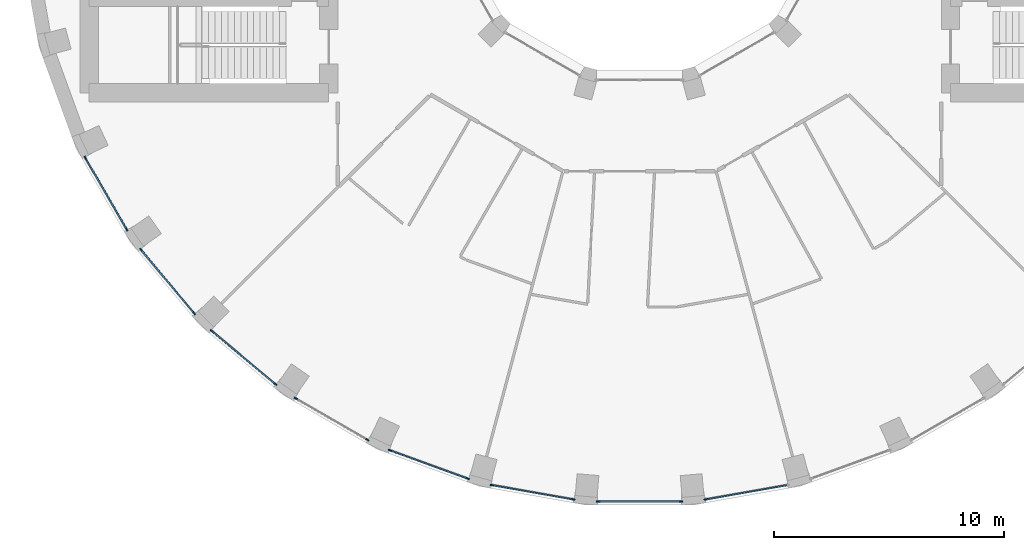
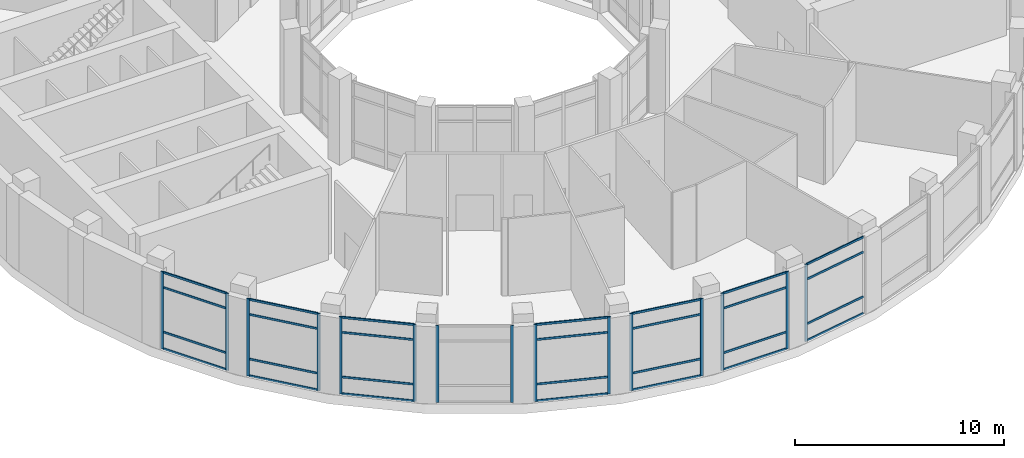
# One storey, part 2 of 18: 43 members, 8 elements without a shape of their own.
"""IFC4 building model written with IfcOpenShell, lengths in metres."""

import ifcopenshell
import ifcopenshell.guid

model = None  # the IFC model being written
_history = None  # IfcOwnerHistory: only IFC2X3 demands one
_inside = {}  # id of a spatial element -> (the spatial element, [elements in it])
_under = {}  # id of a project, library or spatial element -> (it, [spatial elements below it])
_declared = {}  # id of a project -> (the project, [libraries it declares])
_typed = {}  # id of a type object -> (the type object, [elements of that type])
_made_of = {}  # id of a material, layer set ... -> (it, [elements and type objects made of it])


def new_model(schema):
    """Start an empty IFC model of exactly this schema.

    Asked for "IFC4X3", IfcOpenShell would pick the latest addendum, in which some entities
    have other attributes; the version numbers below select the first issue.
    IFC2X3 requires an IfcOwnerHistory on every rooted entity: one is made here for all.
    """
    global model, _history
    if schema == "IFC4X3":
        model = ifcopenshell.file(schema_version=(4, 3, 0, 0))
    else:
        model = ifcopenshell.file(schema=schema)
    _inside.clear()
    _under.clear()
    _declared.clear()
    _typed.clear()
    _made_of.clear()
    _history = None
    if model.schema == "IFC2X3":
        org = make("IfcOrganization", Name="unknown")
        user = make(
            "IfcPersonAndOrganization",
            ThePerson=make("IfcPerson", FamilyName="unknown"),
            TheOrganization=org,
        )
        app = make(
            "IfcApplication",
            ApplicationDeveloper=org,
            Version="unknown",
            ApplicationFullName="unknown",
            ApplicationIdentifier="unknown",
        )
        _history = make(
            "IfcOwnerHistory",
            OwningUser=user,
            OwningApplication=app,
            ChangeAction="ADDED",
            CreationDate=0,
        )
    return model


def make(cls, **values):
    """One entity of the class cls with the attributes given. An attribute that is None is left unset."""
    return model.create_entity(
        cls, **{name: value for name, value in values.items() if value is not None}
    )


def rooted(cls, **values):
    """An entity with a GlobalId (a new one), such as an element, a storey or a relation."""
    return make(cls, GlobalId=ifcopenshell.guid.new(), OwnerHistory=_history, **values)


def si_unit(unit_type, name, prefix=None):
    """IfcSIUnit, for example si_unit("LENGTHUNIT", "METRE", prefix="MILLI")."""
    return make("IfcSIUnit", UnitType=unit_type, Prefix=prefix, Name=name)


def assignment(units):
    """IfcUnitAssignment: the units of a project."""
    return None if units is None else make("IfcUnitAssignment", Units=units)


def point(xyz):
    """IfcCartesianPoint."""
    return None if xyz is None else make("IfcCartesianPoint", Coordinates=xyz)


def direction(xyz):
    """IfcDirection."""
    return None if xyz is None else make("IfcDirection", DirectionRatios=xyz)


def frame(location, z_axis=None, x_axis=None):
    """IfcAxis2Placement3D, a coordinate frame: its origin and axes. An axis left out is left unset."""
    return make(
        "IfcAxis2Placement3D",
        Location=point(location),
        Axis=direction(z_axis),
        RefDirection=direction(x_axis),
    )


def frame_2d(location, x_axis=None):
    """IfcAxis2Placement2D, a coordinate frame in the plane: its origin and x axis."""
    return make(
        "IfcAxis2Placement2D", Location=point(location), RefDirection=direction(x_axis)
    )


def origin():
    """The frame at (0, 0, 0) with its axes left unset."""
    return frame((0.0, 0.0, 0.0))


def origin_2d():
    """The frame at (0, 0) in the plane with its x axis left unset."""
    return frame_2d((0.0, 0.0))


def place(relative_to, where):
    """IfcLocalPlacement: puts the frame where relative to a parent placement (None: the world)."""
    return make(
        "IfcLocalPlacement", PlacementRelTo=relative_to, RelativePlacement=where
    )


def context(
    kind, dimensions, precision=None, world=None, true_north=None, identifier=None
):
    """IfcGeometricRepresentationContext, for example the 3D "Model" context."""
    return make(
        "IfcGeometricRepresentationContext",
        ContextIdentifier=identifier,
        ContextType=kind,
        CoordinateSpaceDimension=dimensions,
        Precision=precision,
        WorldCoordinateSystem=world,
        TrueNorth=true_north,
    )


def subcontext(parent, identifier, kind, view, scale=None):
    """IfcGeometricRepresentationSubContext, for example "Body" below "Model"."""
    return make(
        "IfcGeometricRepresentationSubContext",
        ContextIdentifier=identifier,
        ContextType=kind,
        ParentContext=parent,
        TargetScale=scale,
        TargetView=view,
    )


def project(units=None, contexts=None):
    """IfcProject with its units and contexts."""
    return rooted(
        "IfcProject",
        Name="project",
        RepresentationContexts=contexts,
        UnitsInContext=assignment(units),
    )


def spatial(cls, under=None, at=None, **own):
    """A site, building, storey or space (cls), placed at a placement, below another one or the project."""
    s = rooted(cls, ObjectPlacement=at, **own)
    if under is not None:
        _under.setdefault(under.id(), (under, []))[1].append(s)
    return s


def profile(cls, at=None, kind="AREA", **sizes):
    """A parametric profile (cls). Its sizes go by their IFC names, for example OverallWidth=200.0."""
    return make(cls, ProfileType=kind, Position=at, **sizes)


def rectangle(**sizes):
    """IfcRectangleProfileDef."""
    return profile("IfcRectangleProfileDef", **sizes)


def extrude(swept, where, along, depth):
    """IfcExtrudedAreaSolid: the profile swept, set in the frame where, extruded along a direction by depth."""
    return make(
        "IfcExtrudedAreaSolid",
        SweptArea=swept,
        Position=where,
        ExtrudedDirection=direction(along),
        Depth=depth,
    )


def shape(context_of_items, identifier, shape_type, items):
    """IfcShapeRepresentation: the items that make up one representation, for example the "Body"."""
    return make(
        "IfcShapeRepresentation",
        ContextOfItems=context_of_items,
        RepresentationIdentifier=identifier,
        RepresentationType=shape_type,
        Items=items,
    )


def material(Name=None, Category=None):
    """IfcMaterial."""
    return make("IfcMaterial", Name=Name, Category=Category)


def layer(
    of_material, thickness, ventilated=None, Name=None, Category=None, Priority=None
):
    """IfcMaterialLayer: one layer of a wall or slab, of a material (None: an air gap)."""
    return make(
        "IfcMaterialLayer",
        Material=of_material,
        LayerThickness=thickness,
        IsVentilated=ventilated,
        Name=Name,
        Category=Category,
        Priority=Priority,
    )


def layer_set(layers, Name=None):
    """IfcMaterialLayerSet."""
    return make("IfcMaterialLayerSet", MaterialLayers=layers, LayerSetName=Name)


def material_profile(
    of_material, cross_section, Name=None, Category=None, Priority=None
):
    """IfcMaterialProfile: a cross section and its material."""
    return make(
        "IfcMaterialProfile",
        Name=Name,
        Material=of_material,
        Profile=cross_section,
        Priority=Priority,
        Category=Category,
    )


def profile_set(profiles, Name=None, composite=None):
    """IfcMaterialProfileSet."""
    return make(
        "IfcMaterialProfileSet",
        Name=Name,
        MaterialProfiles=profiles,
        CompositeProfile=composite,
    )


def made_of(thing, what):
    """Note that an element or type object is made of a material, layer set ...; save() writes the relation."""
    if what is not None:
        _made_of.setdefault(what.id(), (what, []))[1].append(thing)
    return thing


def type_object(cls, material=None, **own):
    """A type object (cls), such as IfcWallType, which elements share."""
    return made_of(rooted(cls, **own), material)


def element(
    cls,
    number,
    at=None,
    inside=None,
    cuts=None,
    type_object=None,
    material=None,
    context=None,
    identifier="Body",
    shape_type=None,
    held_by="IfcProductDefinitionShape",
    body=None,
    shapes=None,
    **own,
):
    """One element of the class cls, such as IfcWall. Its Tag is "e" and its number.

    at: its placement. inside: the storey or other place that contains it. cuts: it is an
    opening in that element (IfcRelVoidsElement). A single representation is given by context,
    identifier, shape_type and body (its items); several are given by shapes. held_by: the class
    of the entity that holds the representations. save() writes the other relations.
    """
    e = rooted(cls, Tag="e%d" % number, ObjectPlacement=at, **own)
    if body is not None:
        shapes = [shape(context, identifier, shape_type, body)]
    if shapes is not None:
        e.Representation = make(held_by, Representations=shapes)
    if inside is not None:
        _inside.setdefault(inside.id(), (inside, []))[1].append(e)
    if cuts is not None:
        rooted(
            "IfcRelVoidsElement", RelatingBuildingElement=cuts, RelatedOpeningElement=e
        )
    if type_object is not None:
        _typed.setdefault(type_object.id(), (type_object, []))[1].append(e)
    return made_of(e, material)


def aggregate(whole, parts):
    """IfcRelAggregates: a whole, such as a stair, and the parts it consists of."""
    return rooted("IfcRelAggregates", RelatingObject=whole, RelatedObjects=parts)


def save(model, path):
    """Write the relations noted so far, then the file.

    IfcRelAggregates (storeys below a building ...), IfcRelContainedInSpatialStructure (elements
    in a storey), IfcRelDefinesByType, IfcRelAssociatesMaterial and IfcRelDeclares: one each for
    every whole, place, type object, material and project.
    """
    for whole, parts in _under.values():
        aggregate(whole, parts)
    for where, things in _inside.values():
        rooted(
            "IfcRelContainedInSpatialStructure",
            RelatedElements=things,
            RelatingStructure=where,
        )
    for kind, things in _typed.values():
        rooted("IfcRelDefinesByType", RelatedObjects=things, RelatingType=kind)
    for what, things in _made_of.values():
        rooted("IfcRelAssociatesMaterial", RelatedObjects=things, RelatingMaterial=what)
    for by, libraries in _declared.values():
        rooted("IfcRelDeclares", RelatingContext=by, RelatedDefinitions=libraries)
    model.write(path)


model = new_model("IFC4")

# Units and contexts
model_context = context("Model", 3, precision=1e-05, world=origin(), true_north=direction((0.0, 1.0)))
body_context = subcontext(model_context, "Body", "Model", "MODEL_VIEW")
ifc_project = project(units=[si_unit("LENGTHUNIT", "METRE"), si_unit("AREAUNIT", "SQUARE_METRE"), si_unit("VOLUMEUNIT", "CUBIC_METRE"), si_unit("PLANEANGLEUNIT", "RADIAN"), si_unit("MASSUNIT", "GRAM", prefix="KILO")], contexts=[model_context])

# Site, building, storey
site_placement = place(None, origin())
site = spatial("IfcSite", under=ifc_project, at=site_placement, CompositionType="ELEMENT")
building_placement = place(site_placement, origin())
building = spatial("IfcBuilding", under=site, at=building_placement, Name="Saqina Gate Tower", CompositionType="ELEMENT")
storey_placement = place(building_placement, frame((0.0, 0.0, 86.89990234375)))
storey = spatial("IfcBuildingStorey", under=building, at=storey_placement, Name="L24", CompositionType="ELEMENT", Elevation=86.89990234375)

# Curtain wall, members
ifc_material_1 = material(Name="Aluminium glazing", Category="aluminium")
ifc_layer = layer(ifc_material_1, 0.159912109375)
ifc_layer_set = layer_set([ifc_layer], Name="CWT-2")
curtain_wall_type = type_object("IfcCurtainWallType", Name="CWT-2", PredefinedType="NOTDEFINED", material=ifc_layer_set)
curtain_wall_1_placement = place(storey_placement, origin())
curtain_wall_1 = element("IfcCurtainWall", 1, at=curtain_wall_1_placement, inside=storey, type_object=curtain_wall_type, Name="Sky lounge glazing facet 21", PredefinedType="NOTDEFINED")
ifc_material_2 = material(Name="Aluminium", Category="aluminium")
ifc_material_profile_1 = material_profile(ifc_material_2, rectangle(XDim=0.06005859375, YDim=0.159912109375, at=origin_2d()), Name="Aluminium 60x160")
ifc_profile_set_1 = profile_set([ifc_material_profile_1], Name="Aluminium")
member_type_1 = type_object("IfcMemberType", Name="CWT-2M", PredefinedType="MULLION", material=ifc_profile_set_1)
member_1_placement = place(storey_placement, frame((-24.060791015625, -11.820068359375, 0.0), z_axis=(0.0, 0.0, 1.0), x_axis=(0.86602626266, 0.499998512381, 0.0)))
member_1 = element("IfcMember", 2, at=member_1_placement, type_object=member_type_1, Name="CW2-21 mullion 1", PredefinedType="MULLION", context=body_context, shape_type="SweptSolid", body=[
    extrude(rectangle(XDim=0.06005859375, YDim=0.159912109375, at=origin_2d()), origin(), (0.0, 0.0, 1.0), 4.5),
])
member_2_placement = place(storey_placement, frame((-22.266845703125, -14.92724609375, 0.0), z_axis=(0.0, 0.0, 1.0), x_axis=(0.86602626266, 0.499998512381, 0.0)))
member_2 = element("IfcMember", 3, at=member_2_placement, type_object=member_type_1, Name="CW2-21 mullion 2", PredefinedType="MULLION", context=body_context, shape_type="SweptSolid", body=[
    extrude(rectangle(XDim=0.06005859375, YDim=0.159912109375, at=origin_2d()), origin(), (0.0, 0.0, 1.0), 4.5),
])

curtain_wall_2_placement = place(storey_placement, origin())
curtain_wall_2 = element("IfcCurtainWall", 4, at=curtain_wall_2_placement, inside=storey, type_object=curtain_wall_type, Name="Sky lounge glazing facet 22", PredefinedType="NOTDEFINED")
member_3_placement = place(storey_placement, frame((-21.642822265625, -15.818603515625, 0.0), z_axis=(0.0, 0.0, 1.0), x_axis=(0.766041744675, 0.642790825553, 0.0)))
member_3 = element("IfcMember", 5, at=member_3_placement, type_object=member_type_1, Name="CW2-22 mullion 1", PredefinedType="MULLION", context=body_context, shape_type="SweptSolid", body=[
    extrude(rectangle(XDim=0.06005859375, YDim=0.159912109375, at=origin_2d()), origin(), (0.0, 0.0, 1.0), 4.5),
])
member_4_placement = place(storey_placement, frame((-19.33642578125, -18.567138671875, 0.0), z_axis=(0.0, 0.0, 1.0), x_axis=(0.766041744675, 0.642790825553, 0.0)))
member_4 = element("IfcMember", 6, at=member_4_placement, type_object=member_type_1, Name="CW2-22 mullion 2", PredefinedType="MULLION", context=body_context, shape_type="SweptSolid", body=[
    extrude(rectangle(XDim=0.06005859375, YDim=0.159912109375, at=origin_2d()), origin(), (0.0, 0.0, 1.0), 4.5),
])

curtain_wall_3_placement = place(storey_placement, origin())
curtain_wall_3 = element("IfcCurtainWall", 7, at=curtain_wall_3_placement, inside=storey, type_object=curtain_wall_type, Name="Sky lounge glazing facet 23", PredefinedType="NOTDEFINED")
member_5_placement = place(storey_placement, frame((-18.567138671875, -19.33642578125, 0.0), z_axis=(0.0, 0.0, 1.0), x_axis=(0.642790825553, 0.766041744675, 0.0)))
member_5 = element("IfcMember", 8, at=member_5_placement, type_object=member_type_1, Name="CW2-23 mullion 1", PredefinedType="MULLION", context=body_context, shape_type="SweptSolid", body=[
    extrude(rectangle(XDim=0.06005859375, YDim=0.159912109375, at=origin_2d()), origin(), (0.0, 0.0, 1.0), 4.5),
])
member_6_placement = place(storey_placement, frame((-15.818603515625, -21.642822265625, 0.0), z_axis=(0.0, 0.0, 1.0), x_axis=(0.642790825553, 0.766041744675, 0.0)))
member_6 = element("IfcMember", 9, at=member_6_placement, type_object=member_type_1, Name="CW2-23 mullion 2", PredefinedType="MULLION", context=body_context, shape_type="SweptSolid", body=[
    extrude(rectangle(XDim=0.06005859375, YDim=0.159912109375, at=origin_2d()), origin(), (0.0, 0.0, 1.0), 4.5),
])

curtain_wall_4_placement = place(storey_placement, origin())
curtain_wall_4 = element("IfcCurtainWall", 10, at=curtain_wall_4_placement, inside=storey, type_object=curtain_wall_type, Name="Sky lounge glazing facet 24", PredefinedType="NOTDEFINED")
member_7_placement = place(storey_placement, frame((-14.92724609375, -22.266845703125, 0.0), z_axis=(0.0, 0.0, 1.0), x_axis=(0.499998512381, 0.86602626266, 0.0)))
member_7 = element("IfcMember", 11, at=member_7_placement, type_object=member_type_1, Name="CW2-24 mullion 1", PredefinedType="MULLION", context=body_context, shape_type="SweptSolid", body=[
    extrude(rectangle(XDim=0.06005859375, YDim=0.159912109375, at=origin_2d()), origin(), (0.0, 0.0, 1.0), 4.5),
])
member_8_placement = place(storey_placement, frame((-11.820068359375, -24.060791015625, 0.0), z_axis=(0.0, 0.0, 1.0), x_axis=(0.499998512381, 0.86602626266, 0.0)))
member_8 = element("IfcMember", 12, at=member_8_placement, type_object=member_type_1, Name="CW2-24 mullion 2", PredefinedType="MULLION", context=body_context, shape_type="SweptSolid", body=[
    extrude(rectangle(XDim=0.06005859375, YDim=0.159912109375, at=origin_2d()), origin(), (0.0, 0.0, 1.0), 4.5),
])
aggregate(curtain_wall_4, [member_7, member_8])

curtain_wall_5_placement = place(storey_placement, origin())
curtain_wall_5 = element("IfcCurtainWall", 13, at=curtain_wall_5_placement, inside=storey, type_object=curtain_wall_type, Name="Sky lounge glazing facet 25", PredefinedType="NOTDEFINED")
member_9_placement = place(storey_placement, frame((-10.833740234375, -24.520751953125, 0.0), z_axis=(0.0, 0.0, 1.0), x_axis=(0.342015987197, 0.939694133483, 0.0)))
member_9 = element("IfcMember", 14, at=member_9_placement, type_object=member_type_1, Name="CW2-25 mullion 1", PredefinedType="MULLION", context=body_context, shape_type="SweptSolid", body=[
    extrude(rectangle(XDim=0.06005859375, YDim=0.159912109375, at=origin_2d()), origin(), (0.0, 0.0, 1.0), 4.5),
])
member_10_placement = place(storey_placement, frame((-7.46240234375, -25.747802734375, 0.0), z_axis=(0.0, 0.0, 1.0), x_axis=(0.342015987197, 0.939694133483, 0.0)))
member_10 = element("IfcMember", 15, at=member_10_placement, type_object=member_type_1, Name="CW2-25 mullion 2", PredefinedType="MULLION", context=body_context, shape_type="SweptSolid", body=[
    extrude(rectangle(XDim=0.06005859375, YDim=0.159912109375, at=origin_2d()), origin(), (0.0, 0.0, 1.0), 4.5),
])

curtain_wall_6_placement = place(storey_placement, origin())
curtain_wall_6 = element("IfcCurtainWall", 16, at=curtain_wall_6_placement, inside=storey, type_object=curtain_wall_type, Name="Sky lounge glazing facet 26", PredefinedType="NOTDEFINED")
member_11_placement = place(storey_placement, frame((-6.411376953125, -26.029296875, 0.0), z_axis=(0.0, 0.0, 1.0), x_axis=(0.17363832834, 0.984809489664, 0.0)))
member_11 = element("IfcMember", 17, at=member_11_placement, type_object=member_type_1, Name="CW2-26 mullion 1", PredefinedType="MULLION", context=body_context, shape_type="SweptSolid", body=[
    extrude(rectangle(XDim=0.06005859375, YDim=0.159912109375, at=origin_2d()), origin(), (0.0, 0.0, 1.0), 4.5),
])
member_12_placement = place(storey_placement, frame((-2.8779296875, -26.65234375, 0.0), z_axis=(0.0, 0.0, 1.0), x_axis=(0.17363832834, 0.984809489664, 0.0)))
member_12 = element("IfcMember", 18, at=member_12_placement, type_object=member_type_1, Name="CW2-26 mullion 2", PredefinedType="MULLION", context=body_context, shape_type="SweptSolid", body=[
    extrude(rectangle(XDim=0.06005859375, YDim=0.159912109375, at=origin_2d()), origin(), (0.0, 0.0, 1.0), 4.5),
])

curtain_wall_7_placement = place(storey_placement, origin())
curtain_wall_7 = element("IfcCurtainWall", 19, at=curtain_wall_7_placement, inside=storey, type_object=curtain_wall_type, Name="Sky lounge glazing facet 27", PredefinedType="NOTDEFINED")
member_13_placement = place(storey_placement, frame((-1.7939453125, -26.747314453125, 0.0), z_axis=(0.0, 0.0, 1.0), x_axis=(0.0, 1.0, 0.0)))
member_13 = element("IfcMember", 20, at=member_13_placement, type_object=member_type_1, Name="CW2-27 mullion 1", PredefinedType="MULLION", context=body_context, shape_type="SweptSolid", body=[
    extrude(rectangle(XDim=0.06005859375, YDim=0.159912109375, at=origin_2d()), origin(), (0.0, 0.0, 1.0), 4.5),
])
member_14_placement = place(storey_placement, frame((1.7939453125, -26.747314453125, 0.0), z_axis=(0.0, 0.0, 1.0), x_axis=(0.0, 1.0, 0.0)))
member_14 = element("IfcMember", 21, at=member_14_placement, type_object=member_type_1, Name="CW2-27 mullion 2", PredefinedType="MULLION", context=body_context, shape_type="SweptSolid", body=[
    extrude(rectangle(XDim=0.06005859375, YDim=0.159912109375, at=origin_2d()), origin(), (0.0, 0.0, 1.0), 4.5),
])

# Curtain wall, member
curtain_wall_8_placement = place(storey_placement, origin())
curtain_wall_8 = element("IfcCurtainWall", 22, at=curtain_wall_8_placement, inside=storey, type_object=curtain_wall_type, Name="Sky lounge glazing facet 28", PredefinedType="NOTDEFINED")
member_15_placement = place(storey_placement, frame((2.8779296875, -26.65234375, 0.0), z_axis=(0.0, 0.0, 1.0), x_axis=(-0.17363832834, 0.984809489664, 0.0)))
member_15 = element("IfcMember", 23, at=member_15_placement, type_object=member_type_1, Name="CW2-28 mullion 1", PredefinedType="MULLION", context=body_context, shape_type="SweptSolid", body=[
    extrude(rectangle(XDim=0.06005859375, YDim=0.159912109375, at=origin_2d()), origin(), (0.0, 0.0, 1.0), 4.5),
])

# Member
ifc_material_3 = material(Name="Aluminium", Category="aluminium")
ifc_material_profile_2 = material_profile(ifc_material_3, rectangle(XDim=0.06005859375, YDim=0.1201171875, at=origin_2d()), Name="Aluminium 60x120")
ifc_profile_set_2 = profile_set([ifc_material_profile_2], Name="Aluminium")
member_type_2 = type_object("IfcMemberType", Name="CWT-2T", PredefinedType="USERDEFINED", material=ifc_profile_set_2)
member_16_placement = place(storey_placement, frame((-24.0458984375, -11.845947265625, 0.030029296875), z_axis=(0.500002010285, -0.866024243143, 0.0), x_axis=(0.866024243143, 0.500002010285, 0.0)))
member_16 = element("IfcMember", 24, at=member_16_placement, type_object=member_type_2, Name="CW2-21 transom 1.1", ObjectType="TRANSOM", PredefinedType="USERDEFINED", context=body_context, shape_type="SweptSolid", body=[
    extrude(rectangle(XDim=0.06005859375, YDim=0.1201171875, at=origin_2d()), origin(), (0.0, 0.0, 1.0), 3.52783203125),
])

member_17_placement = place(storey_placement, frame((-24.0458984375, -11.845947265625, 1.0), z_axis=(0.500002010285, -0.866024243143, 0.0), x_axis=(0.866024243143, 0.500002010285, 0.0)))
member_17 = element("IfcMember", 25, at=member_17_placement, type_object=member_type_2, Name="CW2-21 transom 1.2", ObjectType="TRANSOM", PredefinedType="USERDEFINED", context=body_context, shape_type="SweptSolid", body=[
    extrude(rectangle(XDim=0.06005859375, YDim=0.1201171875, at=origin_2d()), origin(), (0.0, 0.0, 1.0), 3.52783203125),
])

member_18_placement = place(storey_placement, frame((-24.0458984375, -11.845947265625, 3.60009765625), z_axis=(0.500002010285, -0.866024243143, 0.0), x_axis=(0.866024243143, 0.500002010285, 0.0)))
member_18 = element("IfcMember", 26, at=member_18_placement, type_object=member_type_2, Name="CW2-21 transom 1.3", ObjectType="TRANSOM", PredefinedType="USERDEFINED", context=body_context, shape_type="SweptSolid", body=[
    extrude(rectangle(XDim=0.06005859375, YDim=0.1201171875, at=origin_2d()), origin(), (0.0, 0.0, 1.0), 3.52783203125),
])

member_19_placement = place(storey_placement, frame((-24.0458984375, -11.845947265625, 4.47021484375), z_axis=(0.500002010285, -0.866024243143, 0.0), x_axis=(0.866024243143, 0.500002010285, 0.0)))
member_19 = element("IfcMember", 27, at=member_19_placement, type_object=member_type_2, Name="CW2-21 transom 1.4", ObjectType="TRANSOM", PredefinedType="USERDEFINED", context=body_context, shape_type="SweptSolid", body=[
    extrude(rectangle(XDim=0.06005859375, YDim=0.1201171875, at=origin_2d()), origin(), (0.0, 0.0, 1.0), 3.52783203125),
])

aggregate(curtain_wall_1, [member_1, member_2, member_16, member_17, member_18, member_19])

member_20_placement = place(storey_placement, frame((-21.62353515625, -15.841552734375, 0.030029296875), z_axis=(0.642828469945, -0.766010155434, 0.0), x_axis=(0.766010155434, 0.642828469945, 0.0)))
member_20 = element("IfcMember", 28, at=member_20_placement, type_object=member_type_2, Name="CW2-22 transom 1.1", ObjectType="TRANSOM", PredefinedType="USERDEFINED", context=body_context, shape_type="SweptSolid", body=[
    extrude(rectangle(XDim=0.06005859375, YDim=0.1201171875, at=origin_2d()), origin(), (0.0, 0.0, 1.0), 3.52783203125),
])

member_21_placement = place(storey_placement, frame((-21.62353515625, -15.841552734375, 1.0), z_axis=(0.642828469945, -0.766010155434, 0.0), x_axis=(0.766010155434, 0.642828469945, 0.0)))
member_21 = element("IfcMember", 29, at=member_21_placement, type_object=member_type_2, Name="CW2-22 transom 1.2", ObjectType="TRANSOM", PredefinedType="USERDEFINED", context=body_context, shape_type="SweptSolid", body=[
    extrude(rectangle(XDim=0.06005859375, YDim=0.1201171875, at=origin_2d()), origin(), (0.0, 0.0, 1.0), 3.52783203125),
])

member_22_placement = place(storey_placement, frame((-21.62353515625, -15.841552734375, 3.60009765625), z_axis=(0.642828469945, -0.766010155434, 0.0), x_axis=(0.766010155434, 0.642828469945, 0.0)))
member_22 = element("IfcMember", 30, at=member_22_placement, type_object=member_type_2, Name="CW2-22 transom 1.3", ObjectType="TRANSOM", PredefinedType="USERDEFINED", context=body_context, shape_type="SweptSolid", body=[
    extrude(rectangle(XDim=0.06005859375, YDim=0.1201171875, at=origin_2d()), origin(), (0.0, 0.0, 1.0), 3.52783203125),
])

member_23_placement = place(storey_placement, frame((-21.62353515625, -15.841552734375, 4.47021484375), z_axis=(0.642828469945, -0.766010155434, 0.0), x_axis=(0.766010155434, 0.642828469945, 0.0)))
member_23 = element("IfcMember", 31, at=member_23_placement, type_object=member_type_2, Name="CW2-22 transom 1.4", ObjectType="TRANSOM", PredefinedType="USERDEFINED", context=body_context, shape_type="SweptSolid", body=[
    extrude(rectangle(XDim=0.06005859375, YDim=0.1201171875, at=origin_2d()), origin(), (0.0, 0.0, 1.0), 3.52783203125),
])

aggregate(curtain_wall_2, [member_3, member_4, member_20, member_21, member_22, member_23])

member_24_placement = place(storey_placement, frame((-18.5439453125, -19.355712890625, 0.030029296875), z_axis=(0.766010155434, -0.642828469945, 0.0), x_axis=(0.642828469945, 0.766010155434, 0.0)))
member_24 = element("IfcMember", 32, at=member_24_placement, type_object=member_type_2, Name="CW2-23 transom 1.1", ObjectType="TRANSOM", PredefinedType="USERDEFINED", context=body_context, shape_type="SweptSolid", body=[
    extrude(rectangle(XDim=0.06005859375, YDim=0.1201171875, at=origin_2d()), origin(), (0.0, 0.0, 1.0), 3.52783203125),
])

member_25_placement = place(storey_placement, frame((-18.5439453125, -19.355712890625, 1.0), z_axis=(0.766010155434, -0.642828469945, 0.0), x_axis=(0.642828469945, 0.766010155434, 0.0)))
member_25 = element("IfcMember", 33, at=member_25_placement, type_object=member_type_2, Name="CW2-23 transom 1.2", ObjectType="TRANSOM", PredefinedType="USERDEFINED", context=body_context, shape_type="SweptSolid", body=[
    extrude(rectangle(XDim=0.06005859375, YDim=0.1201171875, at=origin_2d()), origin(), (0.0, 0.0, 1.0), 3.52783203125),
])

member_26_placement = place(storey_placement, frame((-18.5439453125, -19.355712890625, 3.60009765625), z_axis=(0.766010155434, -0.642828469945, 0.0), x_axis=(0.642828469945, 0.766010155434, 0.0)))
member_26 = element("IfcMember", 34, at=member_26_placement, type_object=member_type_2, Name="CW2-23 transom 1.3", ObjectType="TRANSOM", PredefinedType="USERDEFINED", context=body_context, shape_type="SweptSolid", body=[
    extrude(rectangle(XDim=0.06005859375, YDim=0.1201171875, at=origin_2d()), origin(), (0.0, 0.0, 1.0), 3.52783203125),
])

member_27_placement = place(storey_placement, frame((-18.5439453125, -19.355712890625, 4.47021484375), z_axis=(0.766010155434, -0.642828469945, 0.0), x_axis=(0.642828469945, 0.766010155434, 0.0)))
member_27 = element("IfcMember", 35, at=member_27_placement, type_object=member_type_2, Name="CW2-23 transom 1.4", ObjectType="TRANSOM", PredefinedType="USERDEFINED", context=body_context, shape_type="SweptSolid", body=[
    extrude(rectangle(XDim=0.06005859375, YDim=0.1201171875, at=origin_2d()), origin(), (0.0, 0.0, 1.0), 3.52783203125),
])

aggregate(curtain_wall_3, [member_5, member_6, member_24, member_25, member_26, member_27])

member_28_placement = place(storey_placement, frame((-10.8056640625, -24.531005859375, 0.030029296875), z_axis=(0.939700445258, -0.341998645001, 0.0), x_axis=(0.341998645001, 0.939700445258, 0.0)))
member_28 = element("IfcMember", 36, at=member_28_placement, type_object=member_type_2, Name="CW2-25 transom 1.1", ObjectType="TRANSOM", PredefinedType="USERDEFINED", context=body_context, shape_type="SweptSolid", body=[
    extrude(rectangle(XDim=0.06005859375, YDim=0.1201171875, at=origin_2d()), origin(), (0.0, 0.0, 1.0), 3.52783203125),
])

member_29_placement = place(storey_placement, frame((-10.8056640625, -24.531005859375, 1.0), z_axis=(0.939700445258, -0.341998645001, 0.0), x_axis=(0.341998645001, 0.939700445258, 0.0)))
member_29 = element("IfcMember", 37, at=member_29_placement, type_object=member_type_2, Name="CW2-25 transom 1.2", ObjectType="TRANSOM", PredefinedType="USERDEFINED", context=body_context, shape_type="SweptSolid", body=[
    extrude(rectangle(XDim=0.06005859375, YDim=0.1201171875, at=origin_2d()), origin(), (0.0, 0.0, 1.0), 3.52783203125),
])

member_30_placement = place(storey_placement, frame((-10.8056640625, -24.531005859375, 3.60009765625), z_axis=(0.939700445258, -0.341998645001, 0.0), x_axis=(0.341998645001, 0.939700445258, 0.0)))
member_30 = element("IfcMember", 38, at=member_30_placement, type_object=member_type_2, Name="CW2-25 transom 1.3", ObjectType="TRANSOM", PredefinedType="USERDEFINED", context=body_context, shape_type="SweptSolid", body=[
    extrude(rectangle(XDim=0.06005859375, YDim=0.1201171875, at=origin_2d()), origin(), (0.0, 0.0, 1.0), 3.52783203125),
])

member_31_placement = place(storey_placement, frame((-10.8056640625, -24.531005859375, 4.47021484375), z_axis=(0.939700445258, -0.341998645001, 0.0), x_axis=(0.341998645001, 0.939700445258, 0.0)))
member_31 = element("IfcMember", 39, at=member_31_placement, type_object=member_type_2, Name="CW2-25 transom 1.4", ObjectType="TRANSOM", PredefinedType="USERDEFINED", context=body_context, shape_type="SweptSolid", body=[
    extrude(rectangle(XDim=0.06005859375, YDim=0.1201171875, at=origin_2d()), origin(), (0.0, 0.0, 1.0), 3.52783203125),
])

aggregate(curtain_wall_5, [member_9, member_10, member_28, member_29, member_30, member_31])

member_32_placement = place(storey_placement, frame((-6.381591796875, -26.03466796875, 0.030029296875), z_axis=(0.984809326266, -0.173639255067, 0.0), x_axis=(0.173639255067, 0.984809326266, 0.0)))
member_32 = element("IfcMember", 40, at=member_32_placement, type_object=member_type_2, Name="CW2-26 transom 1.1", ObjectType="TRANSOM", PredefinedType="USERDEFINED", context=body_context, shape_type="SweptSolid", body=[
    extrude(rectangle(XDim=0.06005859375, YDim=0.1201171875, at=origin_2d()), origin(), (0.0, 0.0, 1.0), 3.527587890625),
])

member_33_placement = place(storey_placement, frame((-6.381591796875, -26.03466796875, 1.0), z_axis=(0.984809326266, -0.173639255067, 0.0), x_axis=(0.173639255067, 0.984809326266, 0.0)))
member_33 = element("IfcMember", 41, at=member_33_placement, type_object=member_type_2, Name="CW2-26 transom 1.2", ObjectType="TRANSOM", PredefinedType="USERDEFINED", context=body_context, shape_type="SweptSolid", body=[
    extrude(rectangle(XDim=0.06005859375, YDim=0.1201171875, at=origin_2d()), origin(), (0.0, 0.0, 1.0), 3.527587890625),
])

member_34_placement = place(storey_placement, frame((-6.381591796875, -26.03466796875, 3.60009765625), z_axis=(0.984809326266, -0.173639255067, 0.0), x_axis=(0.173639255067, 0.984809326266, 0.0)))
member_34 = element("IfcMember", 42, at=member_34_placement, type_object=member_type_2, Name="CW2-26 transom 1.3", ObjectType="TRANSOM", PredefinedType="USERDEFINED", context=body_context, shape_type="SweptSolid", body=[
    extrude(rectangle(XDim=0.06005859375, YDim=0.1201171875, at=origin_2d()), origin(), (0.0, 0.0, 1.0), 3.527587890625),
])

member_35_placement = place(storey_placement, frame((-6.381591796875, -26.03466796875, 4.47021484375), z_axis=(0.984809326266, -0.173639255067, 0.0), x_axis=(0.173639255067, 0.984809326266, 0.0)))
member_35 = element("IfcMember", 43, at=member_35_placement, type_object=member_type_2, Name="CW2-26 transom 1.4", ObjectType="TRANSOM", PredefinedType="USERDEFINED", context=body_context, shape_type="SweptSolid", body=[
    extrude(rectangle(XDim=0.06005859375, YDim=0.1201171875, at=origin_2d()), origin(), (0.0, 0.0, 1.0), 3.527587890625),
])

aggregate(curtain_wall_6, [member_11, member_12, member_32, member_33, member_34, member_35])

member_36_placement = place(storey_placement, frame((-1.763916015625, -26.747314453125, 0.030029296875), z_axis=(1.0, 0.0, 0.0), x_axis=(0.0, 1.0, 0.0)))
member_36 = element("IfcMember", 44, at=member_36_placement, type_object=member_type_2, Name="CW2-27 transom 1.1", ObjectType="TRANSOM", PredefinedType="USERDEFINED", context=body_context, shape_type="SweptSolid", body=[
    extrude(rectangle(XDim=0.06005859375, YDim=0.1201171875, at=origin_2d()), origin(), (0.0, 0.0, 1.0), 3.52783203125),
])

member_37_placement = place(storey_placement, frame((-1.763916015625, -26.747314453125, 1.0), z_axis=(1.0, 0.0, 0.0), x_axis=(0.0, 1.0, 0.0)))
member_37 = element("IfcMember", 45, at=member_37_placement, type_object=member_type_2, Name="CW2-27 transom 1.2", ObjectType="TRANSOM", PredefinedType="USERDEFINED", context=body_context, shape_type="SweptSolid", body=[
    extrude(rectangle(XDim=0.06005859375, YDim=0.1201171875, at=origin_2d()), origin(), (0.0, 0.0, 1.0), 3.52783203125),
])

member_38_placement = place(storey_placement, frame((-1.763916015625, -26.747314453125, 3.60009765625), z_axis=(1.0, 0.0, 0.0), x_axis=(0.0, 1.0, 0.0)))
member_38 = element("IfcMember", 46, at=member_38_placement, type_object=member_type_2, Name="CW2-27 transom 1.3", ObjectType="TRANSOM", PredefinedType="USERDEFINED", context=body_context, shape_type="SweptSolid", body=[
    extrude(rectangle(XDim=0.06005859375, YDim=0.1201171875, at=origin_2d()), origin(), (0.0, 0.0, 1.0), 3.52783203125),
])

member_39_placement = place(storey_placement, frame((-1.763916015625, -26.747314453125, 4.47021484375), z_axis=(1.0, 0.0, 0.0), x_axis=(0.0, 1.0, 0.0)))
member_39 = element("IfcMember", 47, at=member_39_placement, type_object=member_type_2, Name="CW2-27 transom 1.4", ObjectType="TRANSOM", PredefinedType="USERDEFINED", context=body_context, shape_type="SweptSolid", body=[
    extrude(rectangle(XDim=0.06005859375, YDim=0.1201171875, at=origin_2d()), origin(), (0.0, 0.0, 1.0), 3.52783203125),
])

aggregate(curtain_wall_7, [member_13, member_14, member_36, member_37, member_38, member_39])

member_40_placement = place(storey_placement, frame((2.907470703125, -26.647216796875, 0.030029296875), z_axis=(0.984809326266, 0.173639255067, 0.0), x_axis=(-0.173639255067, 0.984809326266, 0.0)))
member_40 = element("IfcMember", 48, at=member_40_placement, type_object=member_type_2, Name="CW2-28 transom 1.1", ObjectType="TRANSOM", PredefinedType="USERDEFINED", context=body_context, shape_type="SweptSolid", body=[
    extrude(rectangle(XDim=0.06005859375, YDim=0.1201171875, at=origin_2d()), origin(), (0.0, 0.0, 1.0), 3.527587890625),
])

member_41_placement = place(storey_placement, frame((2.907470703125, -26.647216796875, 1.0), z_axis=(0.984809326266, 0.173639255067, 0.0), x_axis=(-0.173639255067, 0.984809326266, 0.0)))
member_41 = element("IfcMember", 49, at=member_41_placement, type_object=member_type_2, Name="CW2-28 transom 1.2", ObjectType="TRANSOM", PredefinedType="USERDEFINED", context=body_context, shape_type="SweptSolid", body=[
    extrude(rectangle(XDim=0.06005859375, YDim=0.1201171875, at=origin_2d()), origin(), (0.0, 0.0, 1.0), 3.527587890625),
])

member_42_placement = place(storey_placement, frame((2.907470703125, -26.647216796875, 3.60009765625), z_axis=(0.984809326266, 0.173639255067, 0.0), x_axis=(-0.173639255067, 0.984809326266, 0.0)))
member_42 = element("IfcMember", 50, at=member_42_placement, type_object=member_type_2, Name="CW2-28 transom 1.3", ObjectType="TRANSOM", PredefinedType="USERDEFINED", context=body_context, shape_type="SweptSolid", body=[
    extrude(rectangle(XDim=0.06005859375, YDim=0.1201171875, at=origin_2d()), origin(), (0.0, 0.0, 1.0), 3.527587890625),
])

member_43_placement = place(storey_placement, frame((2.907470703125, -26.647216796875, 4.47021484375), z_axis=(0.984809326266, 0.173639255067, 0.0), x_axis=(-0.173639255067, 0.984809326266, 0.0)))
member_43 = element("IfcMember", 51, at=member_43_placement, type_object=member_type_2, Name="CW2-28 transom 1.4", ObjectType="TRANSOM", PredefinedType="USERDEFINED", context=body_context, shape_type="SweptSolid", body=[
    extrude(rectangle(XDim=0.06005859375, YDim=0.1201171875, at=origin_2d()), origin(), (0.0, 0.0, 1.0), 3.527587890625),
])

aggregate(curtain_wall_8, [member_15, member_40, member_41, member_42, member_43])

save(model, "model.ifc")
